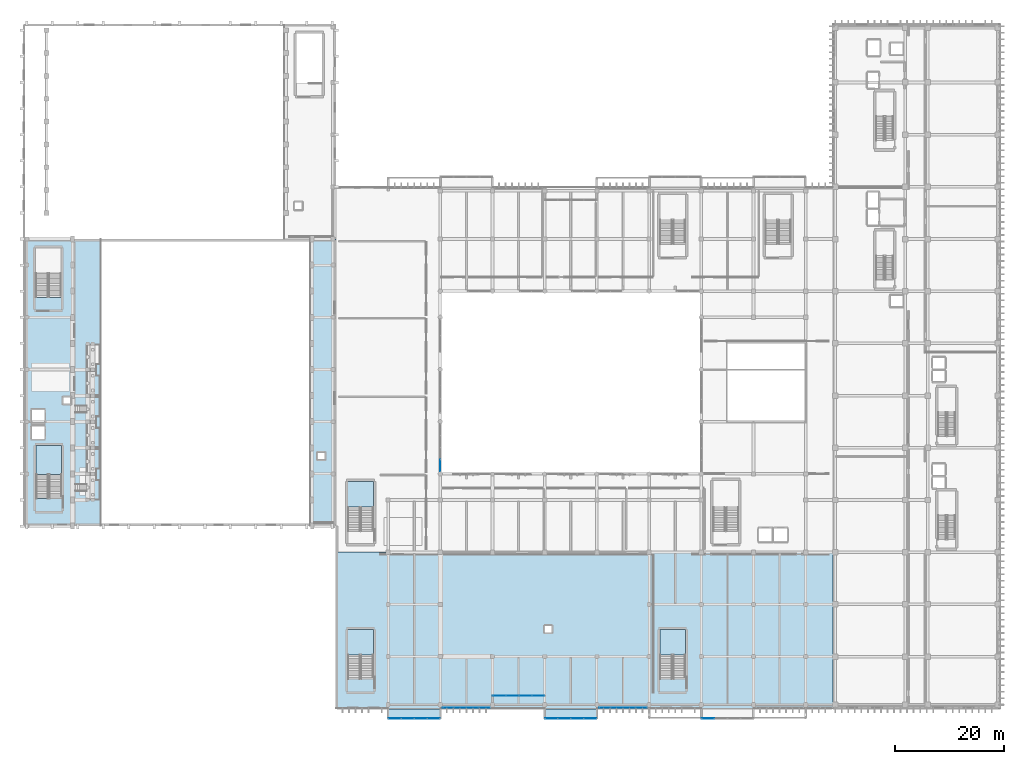
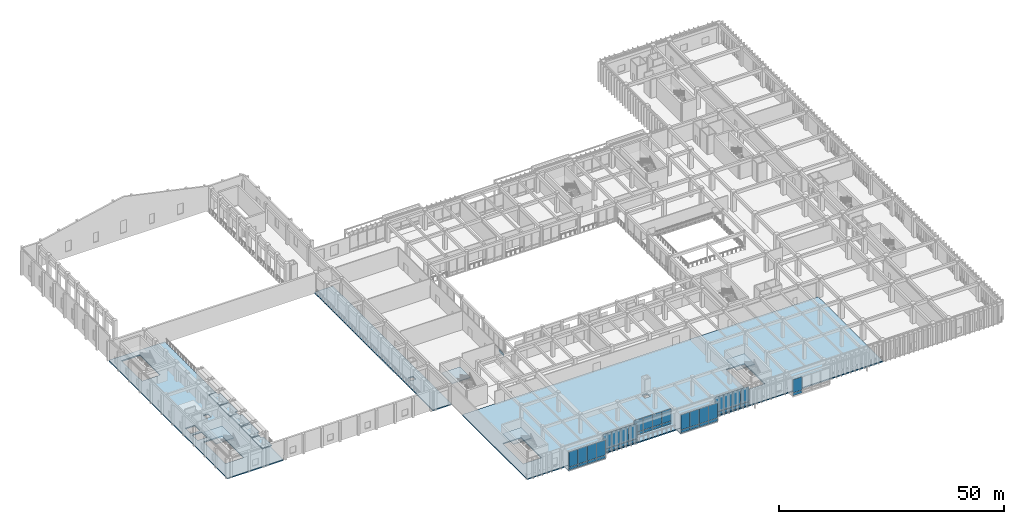
# One storey, part 91 of 134: 43 plates, 14 slabs, 11 elements without a shape of their own.
"""IFC4 building model written with IfcOpenShell, lengths in metres."""

from ifc_helpers import new_model, si_unit, direction, frame, origin, origin_2d, place, context, subcontext, project, spatial, polyline, rectangle, outline, extrude, material, layer, layer_set, type_object, element, aggregate, save


model = new_model("IFC4")

# Units and contexts
model_context = context("Model", 3, precision=1e-05, world=origin(), true_north=direction((0.0, 1.0)))
body_context = subcontext(model_context, "Body", "Model", "MODEL_VIEW")
ifc_project = project(units=[si_unit("LENGTHUNIT", "METRE"), si_unit("AREAUNIT", "SQUARE_METRE"), si_unit("VOLUMEUNIT", "CUBIC_METRE"), si_unit("PLANEANGLEUNIT", "RADIAN"), si_unit("MASSUNIT", "GRAM", prefix="KILO")], contexts=[model_context])

# Site, building, storey
site_placement = place(None, origin())
site = spatial("IfcSite", under=ifc_project, at=site_placement, CompositionType="ELEMENT")
building_placement = place(site_placement, origin())
building = spatial("IfcBuilding", under=site, at=building_placement, Name="Nakhvara Creek Congress Hotel", CompositionType="ELEMENT")
storey_placement = place(building_placement, frame((0.0, 0.0, 6.0)))
storey = spatial("IfcBuildingStorey", under=building, at=storey_placement, Name="L01", CompositionType="ELEMENT", Elevation=6.0)

# Curtain wall, plate
ifc_material_1 = material(Name="Bronze-anodised aluminium AW-6063-T6 and double-silver low-E glass", Category="aluminium")
ifc_layer_1 = layer(ifc_material_1, 0.199951171875)
ifc_layer_set_1 = layer_set([ifc_layer_1], Name="Bronze-anodised aluminium AW-6063-T6 and double-silver low-E glass")
curtain_wall_type_1 = type_object("IfcCurtainWallType", Name="CW-POD-STICK", PredefinedType="NOTDEFINED", material=ifc_layer_set_1)
curtain_wall_1_placement = place(storey_placement, origin())
curtain_wall_1 = element("IfcCurtainWall", 1, at=curtain_wall_1_placement, inside=storey, type_object=curtain_wall_type_1, Name="Curtain Wall CW027", PredefinedType="NOTDEFINED")
ifc_material_2 = material(Name="Double-silver solar-control low-E insulated glass", Category="glass")
plate_type = type_object("IfcPlateType", Name="PNL-GLZ-240X260", PredefinedType="CURTAIN_PANEL", material=ifc_material_2)
plate_1_placement = place(storey_placement, frame((76.800048828125, 44.7275390625, 0.06494140625), z_axis=(0.0, 0.0, 1.0), x_axis=(0.0, -1.0, 0.0)))
plate_1 = element("IfcPlate", 2, at=plate_1_placement, type_object=plate_type, Name="CW027 panel 4.1", PredefinedType="CURTAIN_PANEL", context=body_context, shape_type="SweptSolid", body=[
    extrude(rectangle(XDim=2.094970703125, YDim=0.030029296875, at=origin_2d()), origin(), (0.0, 0.0, 1.0), 0.75244140625),
])
aggregate(curtain_wall_1, [plate_1])

# Curtain wall, plates
ifc_layer_2 = layer(ifc_material_1, 0.219970703125)
ifc_layer_set_2 = layer_set([ifc_layer_2], Name="Bronze-anodised aluminium AW-6063-T6 and double-silver low-E glass")
curtain_wall_type_2 = type_object("IfcCurtainWallType", Name="CW-BOX-PROJ", PredefinedType="USERDEFINED", material=ifc_layer_set_2)
curtain_wall_2_placement = place(storey_placement, origin())
curtain_wall_2 = element("IfcCurtainWall", 3, at=curtain_wall_2_placement, inside=storey, type_object=curtain_wall_type_2, Name="Curtain Wall CW073", ObjectType="UNITISED", PredefinedType="USERDEFINED")
plate_2_placement = place(storey_placement, frame((75.580078125, -1.800048828125, 0.0751953125), z_axis=(0.0, 0.0, 1.0), x_axis=(-1.0, 0.0, 0.0)))
plate_2 = element("IfcPlate", 4, at=plate_2_placement, type_object=plate_type, Name="CW073 panel 1.1", PredefinedType="CURTAIN_PANEL", context=body_context, shape_type="SweptSolid", body=[
    extrude(rectangle(XDim=2.280029296875, YDim=0.030029296875, at=origin_2d()), origin(), (0.0, 0.0, 1.0), 0.737548828125),
])
plate_3_placement = place(storey_placement, frame((75.580078125, -1.800048828125, 0.887451171875), z_axis=(0.0, 0.0, 1.0), x_axis=(-1.0, 0.0, 0.0)))
plate_3 = element("IfcPlate", 5, at=plate_3_placement, type_object=plate_type, Name="CW073 panel 1.2", PredefinedType="CURTAIN_PANEL", context=body_context, shape_type="SweptSolid", body=[
    extrude(rectangle(XDim=2.280029296875, YDim=0.030029296875, at=origin_2d()), origin(), (0.0, 0.0, 1.0), 4.107421875),
])
plate_4_placement = place(storey_placement, frame((73.199951171875, -1.800048828125, 0.0751953125), z_axis=(0.0, 0.0, 1.0), x_axis=(-1.0, 0.0, 0.0)))
plate_4 = element("IfcPlate", 6, at=plate_4_placement, type_object=plate_type, Name="CW073 panel 2.1", PredefinedType="CURTAIN_PANEL", context=body_context, shape_type="SweptSolid", body=[
    extrude(rectangle(XDim=2.320068359375, YDim=0.030029296875, at=origin_2d()), origin(), (0.0, 0.0, 1.0), 0.737548828125),
])
plate_5_placement = place(storey_placement, frame((73.199951171875, -1.800048828125, 0.887451171875), z_axis=(0.0, 0.0, 1.0), x_axis=(-1.0, 0.0, 0.0)))
plate_5 = element("IfcPlate", 7, at=plate_5_placement, type_object=plate_type, Name="CW073 panel 2.2", PredefinedType="CURTAIN_PANEL", context=body_context, shape_type="SweptSolid", body=[
    extrude(rectangle(XDim=2.320068359375, YDim=0.030029296875, at=origin_2d()), origin(), (0.0, 0.0, 1.0), 4.107421875),
])
plate_6_placement = place(storey_placement, frame((70.800048828125, -1.800048828125, 0.0751953125), z_axis=(0.0, 0.0, 1.0), x_axis=(-1.0, 0.0, 0.0)))
plate_6 = element("IfcPlate", 8, at=plate_6_placement, type_object=plate_type, Name="CW073 panel 3.1", PredefinedType="CURTAIN_PANEL", context=body_context, shape_type="SweptSolid", body=[
    extrude(rectangle(XDim=2.320068359375, YDim=0.030029296875, at=origin_2d()), origin(), (0.0, 0.0, 1.0), 0.737548828125),
])
plate_7_placement = place(storey_placement, frame((70.800048828125, -1.800048828125, 0.887451171875), z_axis=(0.0, 0.0, 1.0), x_axis=(-1.0, 0.0, 0.0)))
plate_7 = element("IfcPlate", 9, at=plate_7_placement, type_object=plate_type, Name="CW073 panel 3.2", PredefinedType="CURTAIN_PANEL", context=body_context, shape_type="SweptSolid", body=[
    extrude(rectangle(XDim=2.320068359375, YDim=0.030029296875, at=origin_2d()), origin(), (0.0, 0.0, 1.0), 4.107421875),
])
plate_8_placement = place(storey_placement, frame((68.419921875, -1.800048828125, 0.0751953125), z_axis=(0.0, 0.0, 1.0), x_axis=(-1.0, 0.0, 0.0)))
plate_8 = element("IfcPlate", 10, at=plate_8_placement, type_object=plate_type, Name="CW073 panel 4.1", PredefinedType="CURTAIN_PANEL", context=body_context, shape_type="SweptSolid", body=[
    extrude(rectangle(XDim=2.280029296875, YDim=0.030029296875, at=origin_2d()), origin(), (0.0, 0.0, 1.0), 0.737548828125),
])
plate_9_placement = place(storey_placement, frame((68.419921875, -1.800048828125, 0.887451171875), z_axis=(0.0, 0.0, 1.0), x_axis=(-1.0, 0.0, 0.0)))
plate_9 = element("IfcPlate", 11, at=plate_9_placement, type_object=plate_type, Name="CW073 panel 4.2", PredefinedType="CURTAIN_PANEL", context=body_context, shape_type="SweptSolid", body=[
    extrude(rectangle(XDim=2.280029296875, YDim=0.030029296875, at=origin_2d()), origin(), (0.0, 0.0, 1.0), 4.107421875),
])
aggregate(curtain_wall_2, [plate_2, plate_3, plate_4, plate_5, plate_6, plate_7, plate_8, plate_9])

curtain_wall_3_placement = place(storey_placement, origin())
curtain_wall_3 = element("IfcCurtainWall", 12, at=curtain_wall_3_placement, inside=storey, type_object=curtain_wall_type_2, Name="Curtain Wall CW074", ObjectType="UNITISED", PredefinedType="USERDEFINED")
plate_10_placement = place(storey_placement, frame((104.3798828125, -1.800048828125, 0.0751953125), z_axis=(0.0, 0.0, 1.0), x_axis=(-1.0, 0.0, 0.0)))
plate_10 = element("IfcPlate", 13, at=plate_10_placement, type_object=plate_type, Name="CW074 panel 1.1", PredefinedType="CURTAIN_PANEL", context=body_context, shape_type="SweptSolid", body=[
    extrude(rectangle(XDim=2.280029296875, YDim=0.030029296875, at=origin_2d()), origin(), (0.0, 0.0, 1.0), 0.737548828125),
])
plate_11_placement = place(storey_placement, frame((104.3798828125, -1.800048828125, 0.887451171875), z_axis=(0.0, 0.0, 1.0), x_axis=(-1.0, 0.0, 0.0)))
plate_11 = element("IfcPlate", 14, at=plate_11_placement, type_object=plate_type, Name="CW074 panel 1.2", PredefinedType="CURTAIN_PANEL", context=body_context, shape_type="SweptSolid", body=[
    extrude(rectangle(XDim=2.280029296875, YDim=0.030029296875, at=origin_2d()), origin(), (0.0, 0.0, 1.0), 4.107421875),
])
plate_12_placement = place(storey_placement, frame((102.0, -1.800048828125, 0.0751953125), z_axis=(0.0, 0.0, 1.0), x_axis=(-1.0, 0.0, 0.0)))
plate_12 = element("IfcPlate", 15, at=plate_12_placement, type_object=plate_type, Name="CW074 panel 2.1", PredefinedType="CURTAIN_PANEL", context=body_context, shape_type="SweptSolid", body=[
    extrude(rectangle(XDim=2.320068359375, YDim=0.030029296875, at=origin_2d()), origin(), (0.0, 0.0, 1.0), 0.737548828125),
])
plate_13_placement = place(storey_placement, frame((102.0, -1.800048828125, 0.887451171875), z_axis=(0.0, 0.0, 1.0), x_axis=(-1.0, 0.0, 0.0)))
plate_13 = element("IfcPlate", 16, at=plate_13_placement, type_object=plate_type, Name="CW074 panel 2.2", PredefinedType="CURTAIN_PANEL", context=body_context, shape_type="SweptSolid", body=[
    extrude(rectangle(XDim=2.320068359375, YDim=0.030029296875, at=origin_2d()), origin(), (0.0, 0.0, 1.0), 4.107421875),
])
plate_14_placement = place(storey_placement, frame((99.60009765625, -1.800048828125, 0.0751953125), z_axis=(0.0, 0.0, 1.0), x_axis=(-1.0, 0.0, 0.0)))
plate_14 = element("IfcPlate", 17, at=plate_14_placement, type_object=plate_type, Name="CW074 panel 3.1", PredefinedType="CURTAIN_PANEL", context=body_context, shape_type="SweptSolid", body=[
    extrude(rectangle(XDim=2.320068359375, YDim=0.030029296875, at=origin_2d()), origin(), (0.0, 0.0, 1.0), 0.737548828125),
])
plate_15_placement = place(storey_placement, frame((99.60009765625, -1.800048828125, 0.887451171875), z_axis=(0.0, 0.0, 1.0), x_axis=(-1.0, 0.0, 0.0)))
plate_15 = element("IfcPlate", 18, at=plate_15_placement, type_object=plate_type, Name="CW074 panel 3.2", PredefinedType="CURTAIN_PANEL", context=body_context, shape_type="SweptSolid", body=[
    extrude(rectangle(XDim=2.320068359375, YDim=0.030029296875, at=origin_2d()), origin(), (0.0, 0.0, 1.0), 4.107421875),
])
plate_16_placement = place(storey_placement, frame((97.219970703125, -1.800048828125, 0.0751953125), z_axis=(0.0, 0.0, 1.0), x_axis=(-1.0, 0.0, 0.0)))
plate_16 = element("IfcPlate", 19, at=plate_16_placement, type_object=plate_type, Name="CW074 panel 4.1", PredefinedType="CURTAIN_PANEL", context=body_context, shape_type="SweptSolid", body=[
    extrude(rectangle(XDim=2.280029296875, YDim=0.030029296875, at=origin_2d()), origin(), (0.0, 0.0, 1.0), 0.737548828125),
])
plate_17_placement = place(storey_placement, frame((97.219970703125, -1.800048828125, 0.887451171875), z_axis=(0.0, 0.0, 1.0), x_axis=(-1.0, 0.0, 0.0)))
plate_17 = element("IfcPlate", 20, at=plate_17_placement, type_object=plate_type, Name="CW074 panel 4.2", PredefinedType="CURTAIN_PANEL", context=body_context, shape_type="SweptSolid", body=[
    extrude(rectangle(XDim=2.280029296875, YDim=0.030029296875, at=origin_2d()), origin(), (0.0, 0.0, 1.0), 4.107421875),
])
aggregate(curtain_wall_3, [plate_10, plate_11, plate_12, plate_13, plate_14, plate_15, plate_16, plate_17])

curtain_wall_4_placement = place(storey_placement, origin())
curtain_wall_4 = element("IfcCurtainWall", 21, at=curtain_wall_4_placement, inside=storey, type_object=curtain_wall_type_2, Name="Curtain Wall CW075", ObjectType="UNITISED", PredefinedType="USERDEFINED")
plate_18_placement = place(storey_placement, frame((126.02001953125, -1.800048828125, 0.0751953125), z_axis=(0.0, 0.0, 1.0), x_axis=(-1.0, 0.0, 0.0)))
plate_18 = element("IfcPlate", 22, at=plate_18_placement, type_object=plate_type, Name="CW075 panel 4.1", PredefinedType="CURTAIN_PANEL", context=body_context, shape_type="SweptSolid", body=[
    extrude(rectangle(XDim=2.280029296875, YDim=0.030029296875, at=origin_2d()), origin(), (0.0, 0.0, 1.0), 0.737548828125),
])
plate_19_placement = place(storey_placement, frame((126.02001953125, -1.800048828125, 0.887451171875), z_axis=(0.0, 0.0, 1.0), x_axis=(-1.0, 0.0, 0.0)))
plate_19 = element("IfcPlate", 23, at=plate_19_placement, type_object=plate_type, Name="CW075 panel 4.2", PredefinedType="CURTAIN_PANEL", context=body_context, shape_type="SweptSolid", body=[
    extrude(rectangle(XDim=2.280029296875, YDim=0.030029296875, at=origin_2d()), origin(), (0.0, 0.0, 1.0), 3.57958984375),
])
aggregate(curtain_wall_4, [plate_18, plate_19])

ifc_layer_3 = layer(ifc_material_1, 0.219970703125)
ifc_layer_set_3 = layer_set([ifc_layer_3], Name="Bronze-anodised aluminium AW-6063-T6 and double-silver low-E glass")
curtain_wall_type_3 = type_object("IfcCurtainWallType", Name="CW-BOX-REC", PredefinedType="USERDEFINED", material=ifc_layer_set_3)
curtain_wall_5_placement = place(storey_placement, origin())
curtain_wall_5 = element("IfcCurtainWall", 24, at=curtain_wall_5_placement, inside=storey, type_object=curtain_wall_type_3, Name="Curtain Wall CW076", ObjectType="UNITISED", PredefinedType="USERDEFINED")
plate_20_placement = place(storey_placement, frame((94.78125, 2.39990234375, 0.0751953125), z_axis=(0.0, 0.0, 1.0), x_axis=(-1.0, 0.0, 0.0)))
plate_20 = element("IfcPlate", 25, at=plate_20_placement, type_object=plate_type, Name="CW076 panel 1.1", PredefinedType="CURTAIN_PANEL", context=body_context, shape_type="SweptSolid", body=[
    extrude(rectangle(XDim=2.28759765625, YDim=0.030029296875, at=origin_2d()), origin(), (0.0, 0.0, 1.0), 0.737548828125),
])
plate_21_placement = place(storey_placement, frame((94.78125, 2.39990234375, 0.887451171875), z_axis=(0.0, 0.0, 1.0), x_axis=(-1.0, 0.0, 0.0)))
plate_21 = element("IfcPlate", 26, at=plate_21_placement, type_object=plate_type, Name="CW076 panel 1.2", PredefinedType="CURTAIN_PANEL", context=body_context, shape_type="SweptSolid", body=[
    extrude(rectangle(XDim=2.28759765625, YDim=0.030029296875, at=origin_2d()), origin(), (0.0, 0.0, 1.0), 3.349609375),
])
plate_22_placement = place(storey_placement, frame((92.39990234375, 2.39990234375, 0.0751953125), z_axis=(0.0, 0.0, 1.0), x_axis=(-1.0, 0.0, 0.0)))
plate_22 = element("IfcPlate", 27, at=plate_22_placement, type_object=plate_type, Name="CW076 panel 2.1", PredefinedType="CURTAIN_PANEL", context=body_context, shape_type="SweptSolid", body=[
    extrude(rectangle(XDim=2.324951171875, YDim=0.030029296875, at=origin_2d()), origin(), (0.0, 0.0, 1.0), 0.737548828125),
])
plate_23_placement = place(storey_placement, frame((92.39990234375, 2.39990234375, 0.887451171875), z_axis=(0.0, 0.0, 1.0), x_axis=(-1.0, 0.0, 0.0)))
plate_23 = element("IfcPlate", 28, at=plate_23_placement, type_object=plate_type, Name="CW076 panel 2.2", PredefinedType="CURTAIN_PANEL", context=body_context, shape_type="SweptSolid", body=[
    extrude(rectangle(XDim=2.324951171875, YDim=0.030029296875, at=origin_2d()), origin(), (0.0, 0.0, 1.0), 3.349609375),
])
plate_24_placement = place(storey_placement, frame((90.0, 2.39990234375, 0.0751953125), z_axis=(0.0, 0.0, 1.0), x_axis=(-1.0, 0.0, 0.0)))
plate_24 = element("IfcPlate", 29, at=plate_24_placement, type_object=plate_type, Name="CW076 panel 3.1", PredefinedType="CURTAIN_PANEL", context=body_context, shape_type="SweptSolid", body=[
    extrude(rectangle(XDim=2.324951171875, YDim=0.030029296875, at=origin_2d()), origin(), (0.0, 0.0, 1.0), 0.737548828125),
])
plate_25_placement = place(storey_placement, frame((90.0, 2.39990234375, 0.887451171875), z_axis=(0.0, 0.0, 1.0), x_axis=(-1.0, 0.0, 0.0)))
plate_25 = element("IfcPlate", 30, at=plate_25_placement, type_object=plate_type, Name="CW076 panel 3.2", PredefinedType="CURTAIN_PANEL", context=body_context, shape_type="SweptSolid", body=[
    extrude(rectangle(XDim=2.324951171875, YDim=0.030029296875, at=origin_2d()), origin(), (0.0, 0.0, 1.0), 3.349609375),
])
plate_26_placement = place(storey_placement, frame((87.61865234375, 2.39990234375, 0.0751953125), z_axis=(0.0, 0.0, 1.0), x_axis=(-1.0, 0.0, 0.0)))
plate_26 = element("IfcPlate", 31, at=plate_26_placement, type_object=plate_type, Name="CW076 panel 4.1", PredefinedType="CURTAIN_PANEL", context=body_context, shape_type="SweptSolid", body=[
    extrude(rectangle(XDim=2.28759765625, YDim=0.030029296875, at=origin_2d()), origin(), (0.0, 0.0, 1.0), 0.737548828125),
])
plate_27_placement = place(storey_placement, frame((87.61865234375, 2.39990234375, 0.887451171875), z_axis=(0.0, 0.0, 1.0), x_axis=(-1.0, 0.0, 0.0)))
plate_27 = element("IfcPlate", 32, at=plate_27_placement, type_object=plate_type, Name="CW076 panel 4.2", PredefinedType="CURTAIN_PANEL", context=body_context, shape_type="SweptSolid", body=[
    extrude(rectangle(XDim=2.28759765625, YDim=0.030029296875, at=origin_2d()), origin(), (0.0, 0.0, 1.0), 3.349609375),
])
aggregate(curtain_wall_5, [plate_20, plate_21, plate_22, plate_23, plate_24, plate_25, plate_26, plate_27])

ifc_layer_4 = layer(ifc_material_1, 0.199951171875)
ifc_layer_set_4 = layer_set([ifc_layer_4], Name="Bronze-anodised aluminium AW-6063-T6 and double-silver low-E glass")
curtain_wall_type_4 = type_object("IfcCurtainWallType", Name="CW-SPA-STICK", PredefinedType="NOTDEFINED", material=ifc_layer_set_4)
curtain_wall_6_placement = place(storey_placement, origin())
curtain_wall_6 = element("IfcCurtainWall", 33, at=curtain_wall_6_placement, inside=storey, type_object=curtain_wall_type_4, Name="Curtain Wall CW077", PredefinedType="NOTDEFINED")
plate_28_placement = place(storey_placement, frame((84.8798828125, 0.199951171875, 0.06494140625), z_axis=(0.0, 0.0, 1.0), x_axis=(-1.0, 0.0, 0.0)))
plate_28 = element("IfcPlate", 34, at=plate_28_placement, type_object=plate_type, Name="CW077 panel 1.1", PredefinedType="CURTAIN_PANEL", context=body_context, shape_type="SweptSolid", body=[
    extrude(rectangle(XDim=2.10009765625, YDim=0.030029296875, at=origin_2d()), origin(), (0.0, 0.0, 1.0), 0.75244140625),
])
plate_29_placement = place(storey_placement, frame((84.8798828125, 0.199951171875, 0.882568359375), z_axis=(0.0, 0.0, 1.0), x_axis=(-1.0, 0.0, 0.0)))
plate_29 = element("IfcPlate", 35, at=plate_29_placement, type_object=plate_type, Name="CW077 panel 1.2", PredefinedType="CURTAIN_PANEL", context=body_context, shape_type="SweptSolid", body=[
    extrude(rectangle(XDim=2.10009765625, YDim=0.030029296875, at=origin_2d()), origin(), (0.0, 0.0, 1.0), 4.12255859375),
])
plate_30_placement = place(storey_placement, frame((82.69873046875, 0.199951171875, 0.06494140625), z_axis=(0.0, 0.0, 1.0), x_axis=(-1.0, 0.0, 0.0)))
plate_30 = element("IfcPlate", 36, at=plate_30_placement, type_object=plate_type, Name="CW077 panel 2.1", PredefinedType="CURTAIN_PANEL", context=body_context, shape_type="SweptSolid", body=[
    extrude(rectangle(XDim=2.132568359375, YDim=0.030029296875, at=origin_2d()), origin(), (0.0, 0.0, 1.0), 0.75244140625),
])
plate_31_placement = place(storey_placement, frame((82.69873046875, 0.199951171875, 0.882568359375), z_axis=(0.0, 0.0, 1.0), x_axis=(-1.0, 0.0, 0.0)))
plate_31 = element("IfcPlate", 37, at=plate_31_placement, type_object=plate_type, Name="CW077 panel 2.2", PredefinedType="CURTAIN_PANEL", context=body_context, shape_type="SweptSolid", body=[
    extrude(rectangle(XDim=2.132568359375, YDim=0.030029296875, at=origin_2d()), origin(), (0.0, 0.0, 1.0), 4.12255859375),
])
plate_32_placement = place(storey_placement, frame((80.501220703125, 0.199951171875, 0.06494140625), z_axis=(0.0, 0.0, 1.0), x_axis=(-1.0, 0.0, 0.0)))
plate_32 = element("IfcPlate", 38, at=plate_32_placement, type_object=plate_type, Name="CW077 panel 3.1", PredefinedType="CURTAIN_PANEL", context=body_context, shape_type="SweptSolid", body=[
    extrude(rectangle(XDim=2.132568359375, YDim=0.030029296875, at=origin_2d()), origin(), (0.0, 0.0, 1.0), 0.75244140625),
])
plate_33_placement = place(storey_placement, frame((80.501220703125, 0.199951171875, 0.882568359375), z_axis=(0.0, 0.0, 1.0), x_axis=(-1.0, 0.0, 0.0)))
plate_33 = element("IfcPlate", 39, at=plate_33_placement, type_object=plate_type, Name="CW077 panel 3.2", PredefinedType="CURTAIN_PANEL", context=body_context, shape_type="SweptSolid", body=[
    extrude(rectangle(XDim=2.132568359375, YDim=0.030029296875, at=origin_2d()), origin(), (0.0, 0.0, 1.0), 4.12255859375),
])
plate_34_placement = place(storey_placement, frame((78.320068359375, 0.199951171875, 0.06494140625), z_axis=(0.0, 0.0, 1.0), x_axis=(-1.0, 0.0, 0.0)))
plate_34 = element("IfcPlate", 40, at=plate_34_placement, type_object=plate_type, Name="CW077 panel 4.1", PredefinedType="CURTAIN_PANEL", context=body_context, shape_type="SweptSolid", body=[
    extrude(rectangle(XDim=2.10009765625, YDim=0.030029296875, at=origin_2d()), origin(), (0.0, 0.0, 1.0), 0.75244140625),
])
plate_35_placement = place(storey_placement, frame((78.320068359375, 0.199951171875, 0.882568359375), z_axis=(0.0, 0.0, 1.0), x_axis=(-1.0, 0.0, 0.0)))
plate_35 = element("IfcPlate", 41, at=plate_35_placement, type_object=plate_type, Name="CW077 panel 4.2", PredefinedType="CURTAIN_PANEL", context=body_context, shape_type="SweptSolid", body=[
    extrude(rectangle(XDim=2.10009765625, YDim=0.030029296875, at=origin_2d()), origin(), (0.0, 0.0, 1.0), 4.12255859375),
])
aggregate(curtain_wall_6, [plate_28, plate_29, plate_30, plate_31, plate_32, plate_33, plate_34, plate_35])

curtain_wall_7_placement = place(storey_placement, origin())
curtain_wall_7 = element("IfcCurtainWall", 42, at=curtain_wall_7_placement, inside=storey, type_object=curtain_wall_type_4, Name="Curtain Wall CW078", PredefinedType="NOTDEFINED")
plate_36_placement = place(storey_placement, frame((113.679931640625, 0.199951171875, 0.06494140625), z_axis=(0.0, 0.0, 1.0), x_axis=(-1.0, 0.0, 0.0)))
plate_36 = element("IfcPlate", 43, at=plate_36_placement, type_object=plate_type, Name="CW078 panel 1.1", PredefinedType="CURTAIN_PANEL", context=body_context, shape_type="SweptSolid", body=[
    extrude(rectangle(XDim=2.10009765625, YDim=0.030029296875, at=origin_2d()), origin(), (0.0, 0.0, 1.0), 0.75244140625),
])
plate_37_placement = place(storey_placement, frame((113.679931640625, 0.199951171875, 0.882568359375), z_axis=(0.0, 0.0, 1.0), x_axis=(-1.0, 0.0, 0.0)))
plate_37 = element("IfcPlate", 44, at=plate_37_placement, type_object=plate_type, Name="CW078 panel 1.2", PredefinedType="CURTAIN_PANEL", context=body_context, shape_type="SweptSolid", body=[
    extrude(rectangle(XDim=2.10009765625, YDim=0.030029296875, at=origin_2d()), origin(), (0.0, 0.0, 1.0), 4.12255859375),
])
plate_38_placement = place(storey_placement, frame((111.498779296875, 0.199951171875, 0.06494140625), z_axis=(0.0, 0.0, 1.0), x_axis=(-1.0, 0.0, 0.0)))
plate_38 = element("IfcPlate", 45, at=plate_38_placement, type_object=plate_type, Name="CW078 panel 2.1", PredefinedType="CURTAIN_PANEL", context=body_context, shape_type="SweptSolid", body=[
    extrude(rectangle(XDim=2.132568359375, YDim=0.030029296875, at=origin_2d()), origin(), (0.0, 0.0, 1.0), 0.75244140625),
])
plate_39_placement = place(storey_placement, frame((111.498779296875, 0.199951171875, 0.882568359375), z_axis=(0.0, 0.0, 1.0), x_axis=(-1.0, 0.0, 0.0)))
plate_39 = element("IfcPlate", 46, at=plate_39_placement, type_object=plate_type, Name="CW078 panel 2.2", PredefinedType="CURTAIN_PANEL", context=body_context, shape_type="SweptSolid", body=[
    extrude(rectangle(XDim=2.132568359375, YDim=0.030029296875, at=origin_2d()), origin(), (0.0, 0.0, 1.0), 4.12255859375),
])
plate_40_placement = place(storey_placement, frame((109.30126953125, 0.199951171875, 0.06494140625), z_axis=(0.0, 0.0, 1.0), x_axis=(-1.0, 0.0, 0.0)))
plate_40 = element("IfcPlate", 47, at=plate_40_placement, type_object=plate_type, Name="CW078 panel 3.1", PredefinedType="CURTAIN_PANEL", context=body_context, shape_type="SweptSolid", body=[
    extrude(rectangle(XDim=2.132568359375, YDim=0.030029296875, at=origin_2d()), origin(), (0.0, 0.0, 1.0), 0.75244140625),
])
plate_41_placement = place(storey_placement, frame((109.30126953125, 0.199951171875, 0.882568359375), z_axis=(0.0, 0.0, 1.0), x_axis=(-1.0, 0.0, 0.0)))
plate_41 = element("IfcPlate", 48, at=plate_41_placement, type_object=plate_type, Name="CW078 panel 3.2", PredefinedType="CURTAIN_PANEL", context=body_context, shape_type="SweptSolid", body=[
    extrude(rectangle(XDim=2.132568359375, YDim=0.030029296875, at=origin_2d()), origin(), (0.0, 0.0, 1.0), 4.12255859375),
])
plate_42_placement = place(storey_placement, frame((107.1201171875, 0.199951171875, 0.06494140625), z_axis=(0.0, 0.0, 1.0), x_axis=(-1.0, 0.0, 0.0)))
plate_42 = element("IfcPlate", 49, at=plate_42_placement, type_object=plate_type, Name="CW078 panel 4.1", PredefinedType="CURTAIN_PANEL", context=body_context, shape_type="SweptSolid", body=[
    extrude(rectangle(XDim=2.10009765625, YDim=0.030029296875, at=origin_2d()), origin(), (0.0, 0.0, 1.0), 0.75244140625),
])
plate_43_placement = place(storey_placement, frame((107.1201171875, 0.199951171875, 0.882568359375), z_axis=(0.0, 0.0, 1.0), x_axis=(-1.0, 0.0, 0.0)))
plate_43 = element("IfcPlate", 50, at=plate_43_placement, type_object=plate_type, Name="CW078 panel 4.2", PredefinedType="CURTAIN_PANEL", context=body_context, shape_type="SweptSolid", body=[
    extrude(rectangle(XDim=2.10009765625, YDim=0.030029296875, at=origin_2d()), origin(), (0.0, 0.0, 1.0), 4.12255859375),
])
aggregate(curtain_wall_7, [plate_36, plate_37, plate_38, plate_39, plate_40, plate_41, plate_42, plate_43])

# Slabs
ifc_material_3 = material(Name="Concrete C40/50", Category="concrete")
ifc_layer_5 = layer(ifc_material_3, 0.219970703125)
ifc_layer_set_5 = layer_set([ifc_layer_5], Name="Concrete C40/50")
slab_type_1 = type_object("IfcSlabType", Name="SL-FLR-220", PredefinedType="FLOOR", material=ifc_layer_set_5)
slab_1_placement = place(storey_placement, frame((0.0, 0.0, -0.219970703125)))
element("IfcSlab", 51, at=slab_1_placement, inside=storey, type_object=slab_type_1, Name="Structural Slab SLB-PBOX-L01-S1", PredefinedType="FLOOR", context=body_context, shape_type="SweptSolid", body=[
    extrude(outline(polyline([(67.199951171875, -1.800048828125), (76.800048828125, -1.800048828125), (76.800048828125, 0.0), (67.199951171875, 0.0), (67.199951171875, -1.800048828125)])), origin(), (0.0, 0.0, 1.0), 0.219970703125),
])
slab_2_placement = place(storey_placement, frame((0.0, 0.0, -0.219970703125)))
element("IfcSlab", 52, at=slab_2_placement, inside=storey, type_object=slab_type_1, Name="Structural Slab SLB-PBOX-L01-S2", PredefinedType="FLOOR", context=body_context, shape_type="SweptSolid", body=[
    extrude(outline(polyline([(96.0, -1.800048828125), (105.60009765625, -1.800048828125), (105.60009765625, 0.0), (96.0, 0.0), (96.0, -1.800048828125)])), origin(), (0.0, 0.0, 1.0), 0.219970703125),
])
ifc_layer_6 = layer(ifc_material_3, 0.300048828125)
ifc_layer_set_6 = layer_set([ifc_layer_6], Name="Concrete C40/50")
slab_type_2 = type_object("IfcSlabType", Name="SL-FLR-300", PredefinedType="FLOOR", material=ifc_layer_set_6)
slab_3_placement = place(storey_placement, frame((0.0, 0.0, -0.300048828125)))
element("IfcSlab", 53, at=slab_3_placement, inside=storey, type_object=slab_type_2, Name="Structural Slab SLB-L01-V1W", PredefinedType="FLOOR", context=body_context, shape_type="SweptSolid", body=[
    extrude(outline(polyline([(0.0, 86.39990234375), (14.39990234375, 86.39990234375), (14.39990234375, 33.60009765625), (0.0, 33.60009765625), (0.0, 86.39990234375)]), holes=[polyline([(2.449951171875, 48.39990234375), (2.449951171875, 38.679931640625), (7.159912109375, 38.679931640625), (7.159912109375, 48.39990234375), (2.449951171875, 48.39990234375)]), polyline([(4.0, 52.0), (1.60009765625, 52.0), (1.60009765625, 49.60009765625), (4.0, 49.60009765625), (4.0, 52.0)]), polyline([(4.0, 55.0), (1.60009765625, 55.0), (1.60009765625, 52.60009765625), (4.0, 52.60009765625), (4.0, 55.0)]), polyline([(8.75, 56.050048828125), (8.75, 57.35009765625), (7.449951171875, 57.35009765625), (7.449951171875, 56.050048828125), (8.75, 56.050048828125)]), polyline([(7.080078125, 84.800048828125), (2.3701171875, 84.800048828125), (2.3701171875, 75.679931640625), (7.080078125, 75.679931640625), (7.080078125, 84.800048828125)])]), origin(), (0.0, 0.0, 1.0), 0.300048828125),
])
slab_4_placement = place(storey_placement, frame((0.0, 0.0, -0.300048828125)))
element("IfcSlab", 54, at=slab_4_placement, inside=storey, type_object=slab_type_2, Name="Structural Slab SLB-L01-V1E", PredefinedType="FLOOR", context=body_context, shape_type="SweptSolid", body=[
    extrude(outline(polyline([(52.800048828125, 86.39990234375), (57.60009765625, 86.39990234375), (57.60009765625, 33.60009765625), (52.800048828125, 33.60009765625), (52.800048828125, 86.39990234375)]), holes=[polyline([(54.25, 45.85009765625), (55.550048828125, 45.85009765625), (55.550048828125, 47.14990234375), (54.25, 47.14990234375), (54.25, 45.85009765625)])]), origin(), (0.0, 0.0, 1.0), 0.300048828125),
])
slab_5_placement = place(storey_placement, frame((0.0, 0.0, -0.300048828125)))
element("IfcSlab", 55, at=slab_5_placement, inside=storey, type_object=slab_type_2, Name="Structural Slab SLB-L01-V4", PredefinedType="FLOOR", context=body_context, shape_type="SweptSolid", body=[
    extrude(outline(polyline([(57.60009765625, 28.800048828125), (149.050048828125, 28.800048828125), (149.050048828125, 0.0), (57.60009765625, 0.0), (57.60009765625, 28.800048828125)]), holes=[polyline([(59.77001953125, 5.47998046875), (64.47998046875, 5.47998046875), (64.47998046875, 14.60009765625), (59.77001953125, 14.60009765625), (59.77001953125, 5.47998046875)]), polyline([(117.169921875, 14.60009765625), (117.169921875, 5.47998046875), (121.8798828125, 5.47998046875), (121.8798828125, 14.60009765625), (117.169921875, 14.60009765625)]), polyline([(97.300048828125, 15.300048828125), (96.0, 15.300048828125), (96.0, 14.0), (97.300048828125, 14.0), (97.300048828125, 15.300048828125)])]), origin(), (0.0, 0.0, 1.0), 0.300048828125),
])

# Stair, slab
stair_type = type_object("IfcStairType", Name="ST-CORE-230", PredefinedType="HALF_TURN_STAIR", material=ifc_material_3)
stair_1_placement = place(storey_placement, origin())
stair_1 = element("IfcStair", 56, at=stair_1_placement, inside=storey, type_object=stair_type, Name="L01 Protected Exit Stair ST05", PredefinedType="HALF_TURN_STAIR")
ifc_layer_7 = layer(ifc_material_3, 0.199951171875)
ifc_layer_set_7 = layer_set([ifc_layer_7], Name="Concrete C40/50")
slab_type_3 = type_object("IfcSlabType", Name="SL-LAND-200", PredefinedType="LANDING", material=ifc_layer_set_7)
slab_6_placement = place(storey_placement, frame((0.0, 0.0, 2.5)))
slab_6 = element("IfcSlab", 57, at=slab_6_placement, type_object=slab_type_3, Name="ST05 landing 1", PredefinedType="LANDING", context=body_context, shape_type="SweptSolid", body=[
    extrude(outline(polyline([(7.159912109375, 43.090087890625), (7.159912109375, 48.39990234375), (2.449951171875, 48.39990234375), (2.449951171875, 43.090087890625), (7.159912109375, 43.090087890625)])), origin(), (0.0, 0.0, 1.0), 0.199951171875),
])
aggregate(stair_1, [slab_6])

stair_2_placement = place(storey_placement, origin())
stair_2 = element("IfcStair", 58, at=stair_2_placement, inside=storey, type_object=stair_type, Name="L01 Protected Exit Stair ST11", PredefinedType="HALF_TURN_STAIR")
slab_7_placement = place(storey_placement, frame((0.0, 0.0, 2.5)))
slab_7 = element("IfcSlab", 59, at=slab_7_placement, type_object=slab_type_3, Name="ST11 landing 1", PredefinedType="LANDING", context=body_context, shape_type="SweptSolid", body=[
    extrude(outline(polyline([(64.47998046875, 9.889892578125), (64.47998046875, 14.60009765625), (59.77001953125, 14.60009765625), (59.77001953125, 9.889892578125), (64.47998046875, 9.889892578125)])), origin(), (0.0, 0.0, 1.0), 0.199951171875),
])
aggregate(stair_2, [slab_7])

stair_3_placement = place(storey_placement, origin())
stair_3 = element("IfcStair", 60, at=stair_3_placement, inside=storey, type_object=stair_type, Name="L01 Protected Exit Stair ST12", PredefinedType="HALF_TURN_STAIR")
slab_8_placement = place(storey_placement, frame((0.0, 0.0, 2.5)))
slab_8 = element("IfcSlab", 61, at=slab_8_placement, type_object=slab_type_3, Name="ST12 landing 1", PredefinedType="LANDING", context=body_context, shape_type="SweptSolid", body=[
    extrude(outline(polyline([(121.8798828125, 9.889892578125), (121.8798828125, 14.60009765625), (117.169921875, 14.60009765625), (117.169921875, 9.889892578125), (121.8798828125, 9.889892578125)])), origin(), (0.0, 0.0, 1.0), 0.199951171875),
])
aggregate(stair_3, [slab_8])

stair_4_placement = place(storey_placement, origin())
stair_4 = element("IfcStair", 62, at=stair_4_placement, inside=storey, type_object=stair_type, Name="L01 Protected Exit Stair ST13", PredefinedType="HALF_TURN_STAIR")
slab_9_placement = place(storey_placement, frame((0.0, 0.0, 2.5)))
slab_9 = element("IfcSlab", 63, at=slab_9_placement, type_object=slab_type_3, Name="ST13 landing 1", PredefinedType="LANDING", context=body_context, shape_type="SweptSolid", body=[
    extrude(outline(polyline([(64.47998046875, 37.090087890625), (64.47998046875, 41.800048828125), (59.77001953125, 41.800048828125), (59.77001953125, 37.090087890625), (64.47998046875, 37.090087890625)])), origin(), (0.0, 0.0, 1.0), 0.199951171875),
])
aggregate(stair_4, [slab_9])

# Slabs
ifc_material_4 = material(Name="Precast concrete C40/50", Category="concrete")
ifc_layer_8 = layer(ifc_material_4, 0.18994140625)
ifc_layer_set_8 = layer_set([ifc_layer_8], Name="Precast concrete C40/50")
slab_type_4 = type_object("IfcSlabType", Name="SL-TIER-190", PredefinedType="USERDEFINED", material=ifc_layer_set_8)
slab_10_placement = place(storey_placement, frame((0.0, 0.0, 0.860107421875)))
element("IfcSlab", 64, at=slab_10_placement, inside=storey, type_object=slab_type_4, Name="Stand Dress Circle Bay 1", ObjectType="SEATING TIER", PredefinedType="USERDEFINED", context=body_context, shape_type="SweptSolid", body=[
    extrude(outline(polyline([(11.75, 38.39990234375), (14.239990234375, 38.39990234375), (14.239990234375, 42.10009765625), (13.590087890625, 42.10009765625), (13.590087890625, 43.0), (11.75, 43.0), (11.75, 38.39990234375)])), origin(), (0.0, 0.0, 1.0), 0.18994140625),
])
slab_11_placement = place(storey_placement, frame((0.0, 0.0, 1.010009765625)))
element("IfcSlab", 65, at=slab_11_placement, inside=storey, type_object=slab_type_4, Name="Stand Dress Circle Bay 2", ObjectType="SEATING TIER", PredefinedType="USERDEFINED", context=body_context, shape_type="SweptSolid", body=[
    extrude(outline(polyline([(11.75, 43.199951171875), (13.590087890625, 43.199951171875), (13.590087890625, 44.10009765625), (14.239990234375, 44.10009765625), (14.239990234375, 47.800048828125), (11.75, 47.800048828125), (11.75, 43.199951171875)])), origin(), (0.0, 0.0, 1.0), 0.18994140625),
])
slab_12_placement = place(storey_placement, frame((0.0, 0.0, 1.159912109375)))
element("IfcSlab", 66, at=slab_12_placement, inside=storey, type_object=slab_type_4, Name="Stand Dress Circle Bay 3", ObjectType="SEATING TIER", PredefinedType="USERDEFINED", context=body_context, shape_type="SweptSolid", body=[
    extrude(outline(polyline([(11.75, 48.0), (14.239990234375, 48.0), (14.239990234375, 51.699951171875), (13.590087890625, 51.699951171875), (13.590087890625, 52.60009765625), (11.75, 52.60009765625), (11.75, 48.0)])), origin(), (0.0, 0.0, 1.0), 0.190185546875),
])
slab_13_placement = place(storey_placement, frame((0.0, 0.0, 0.860107421875)))
element("IfcSlab", 67, at=slab_13_placement, inside=storey, type_object=slab_type_4, Name="Stand Dress Circle Bay 4", ObjectType="SEATING TIER", PredefinedType="USERDEFINED", context=body_context, shape_type="SweptSolid", body=[
    extrude(outline(polyline([(11.75, 52.800048828125), (13.590087890625, 52.800048828125), (13.590087890625, 53.699951171875), (14.239990234375, 53.699951171875), (14.239990234375, 57.39990234375), (11.75, 57.39990234375), (11.75, 52.800048828125)])), origin(), (0.0, 0.0, 1.0), 0.18994140625),
])
slab_14_placement = place(storey_placement, frame((0.0, 0.0, 1.010009765625)))
element("IfcSlab", 68, at=slab_14_placement, inside=storey, type_object=slab_type_4, Name="Stand Dress Circle Bay 5", ObjectType="SEATING TIER", PredefinedType="USERDEFINED", context=body_context, shape_type="SweptSolid", body=[
    extrude(outline(polyline([(11.75, 57.60009765625), (14.239990234375, 57.60009765625), (14.239990234375, 61.300048828125), (13.590087890625, 61.300048828125), (13.590087890625, 62.199951171875), (11.75, 62.199951171875), (11.75, 57.60009765625)])), origin(), (0.0, 0.0, 1.0), 0.18994140625),
])

save(model, "model.ifc")
